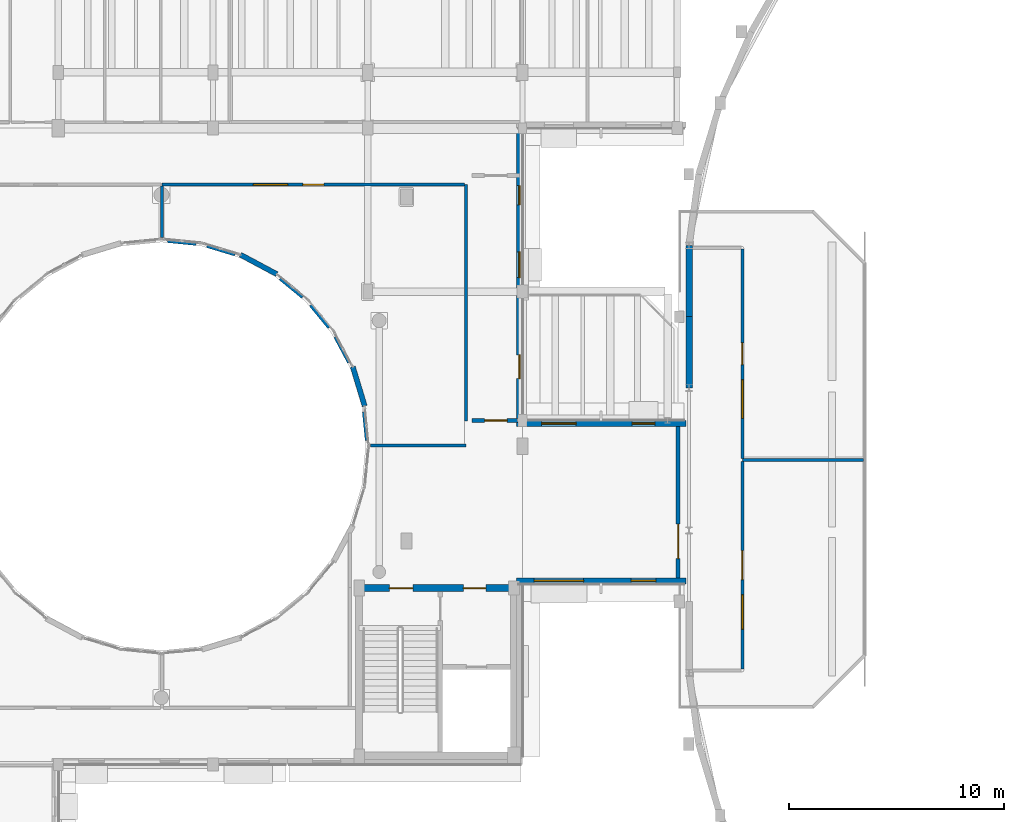
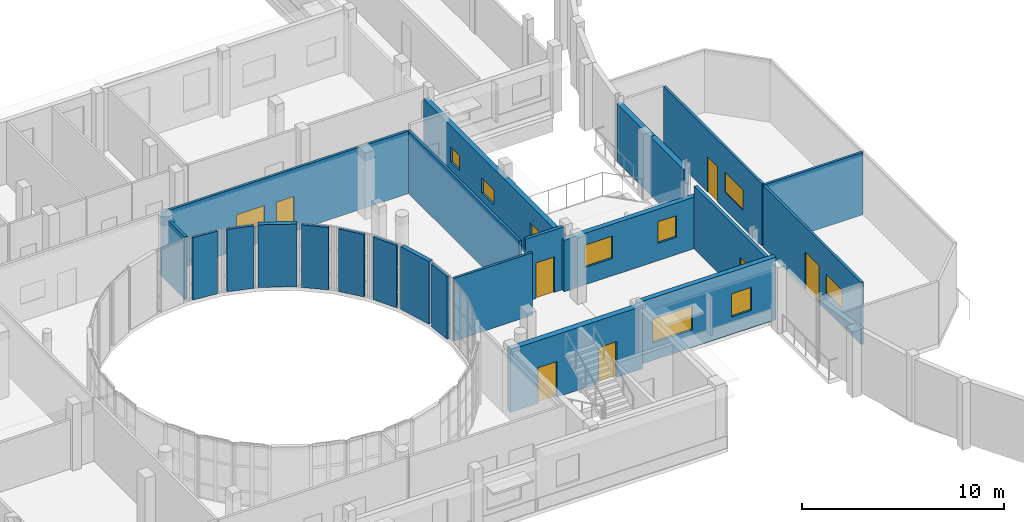
# One storey, part 72 of 92: 23 walls, 9 windows, 8 doors, 17 openings.
"""IFC4 building model written with IfcOpenShell, lengths in metres."""

from ifc_helpers import new_model, si_unit, direction, frame, frame_2d, origin, place, context, subcontext, project, spatial, rectangle, extrude, material, layer, layer_set, type_object, element, fill, save


model = new_model("IFC4")

# Units and contexts
model_context = context("Model", 3, precision=1e-05, world=origin(), true_north=direction((0.0, 1.0)))
body_context = subcontext(model_context, "Body", "Model", "MODEL_VIEW")
ifc_project = project(units=[si_unit("LENGTHUNIT", "METRE"), si_unit("AREAUNIT", "SQUARE_METRE"), si_unit("VOLUMEUNIT", "CUBIC_METRE"), si_unit("PLANEANGLEUNIT", "RADIAN"), si_unit("MASSUNIT", "GRAM", prefix="KILO")], contexts=[model_context])

# Site, building, storey
site_placement = place(None, origin())
site = spatial("IfcSite", under=ifc_project, at=site_placement, CompositionType="ELEMENT")
building_placement = place(site_placement, origin())
building = spatial("IfcBuilding", under=site, at=building_placement, Name="Kelanivale Promenade Academy", CompositionType="ELEMENT")
storey_placement = place(building_placement, frame((0.0, 0.0, 8.199951171875)))
storey = spatial("IfcBuildingStorey", under=building, at=storey_placement, Name="L02", CompositionType="ELEMENT", Elevation=8.199951171875)

# Wall, openings, doors
ifc_material_1 = material(Name="Concrete C40/50", Category="concrete")
ifc_layer_1 = layer(ifc_material_1, 0.330078125)
ifc_layer_set_1 = layer_set([ifc_layer_1], Name="Concrete C40/50")
wall_type_1 = type_object("IfcWallType", Name="CW-S1 Wall 330mm", PredefinedType="SHEAR", material=ifc_layer_set_1)
wall_1_placement = place(storey_placement, frame((107.8349609375, 50.199951171875, 0.0), z_axis=(0.0, 0.0, 1.0), x_axis=(1.0, 0.0, 0.0)))
wall_1 = element("IfcWall", 1, at=wall_1_placement, inside=storey, type_object=wall_type_1, Name="CORE-3 RC shear wall N L02", PredefinedType="SHEAR", context=body_context, shape_type="SweptSolid", body=[
    extrude(rectangle(XDim=7.530029296875, YDim=0.330078125, at=frame_2d((3.76513671875, 0.0))), origin(), (0.0, 0.0, 1.0), 3.780029296875),
])
opening_1_placement = place(wall_1_placement, frame((5.014892578125, 0.0, 0.0)))
opening_1 = element("IfcOpeningElement", 2, at=opening_1_placement, cuts=wall_1, Name="Opening FD-CORE-3-LB-L02", PredefinedType="OPENING", context=body_context, shape_type="SweptSolid", body=[
    extrude(rectangle(XDim=1.050048828125, YDim=2.14990234375, at=frame_2d((0.52490234375, 1.074951171875))), frame((0.0, 0.175048828125, 0.0), z_axis=(0.0, -1.0, 0.0), x_axis=(1.0, 0.0, 0.0)), (0.0, 0.0, 1.0), 0.35009765625),
])
opening_2_placement = place(wall_1_placement, frame((1.56494140625, 0.0, 0.0)))
opening_2 = element("IfcOpeningElement", 3, at=opening_2_placement, cuts=wall_1, Name="Opening FD-CORE-3-ST-L02", PredefinedType="OPENING", context=body_context, shape_type="SweptSolid", body=[
    extrude(rectangle(XDim=1.10009765625, YDim=2.14990234375, at=frame_2d((0.550048828125, 1.074951171875))), frame((0.0, 0.175048828125, 0.0), z_axis=(0.0, -1.0, 0.0), x_axis=(1.0, 0.0, 0.0)), (0.0, 0.0, 1.0), 0.35009765625),
])
ifc_material_2 = material(Name="Fire-rated steel-core teak veneer", Category="steel")
door_type_1 = type_object("IfcDoorType", Name="DT-F01 Door 1100x2150", OperationType="NOTDEFINED", PredefinedType="DOOR", material=ifc_material_2)
door_1_placement = place(opening_2_placement, origin())
door_1 = element("IfcDoor", 4, at=door_1_placement, inside=storey, type_object=door_type_1, Name="CORE-3 protected stair fire door L02", OperationType="SINGLE_SWING_LEFT", OverallHeight=2.14990234375, OverallWidth=1.10009765625, PredefinedType="DOOR", context=body_context, shape_type="SweptSolid", body=[
    extrude(rectangle(XDim=1.10009765625, YDim=2.14990234375, at=frame_2d((0.550048828125, 1.074951171875))), frame((0.0, 0.02490234375, 0.0), z_axis=(0.0, -1.0, 0.0), x_axis=(1.0, 0.0, 0.0)), (0.0, 0.0, 1.0), 0.050048828125),
])
fill(opening_2, door_1)
door_type_2 = type_object("IfcDoorType", Name="DT-F03 Door 1050x2150", OperationType="NOTDEFINED", PredefinedType="DOOR", material=ifc_material_2)
door_2_placement = place(opening_1_placement, origin())
door_2 = element("IfcDoor", 5, at=door_2_placement, inside=storey, type_object=door_type_2, Name="CORE-3 corridor-to-lobby fire door L02", OperationType="SINGLE_SWING_RIGHT", OverallHeight=2.14990234375, OverallWidth=1.050048828125, PredefinedType="DOOR", context=body_context, shape_type="SweptSolid", body=[
    extrude(rectangle(XDim=1.050048828125, YDim=2.14990234375, at=frame_2d((0.52490234375, 1.074951171875))), frame((0.0, 0.02490234375, 0.0), z_axis=(0.0, -1.0, 0.0), x_axis=(1.0, 0.0, 0.0)), (0.0, 0.0, 1.0), 0.050048828125),
])
fill(opening_1, door_2)

# Walls
ifc_material_3 = material(Name="Insulated terracotta-clad masonry wall 300 mm", Category="masonry")
ifc_layer_2 = layer(ifc_material_3, 0.300048828125)
ifc_layer_set_2 = layer_set([ifc_layer_2], Name="Insulated terracotta-clad masonry wall 300 mm")
wall_type_2 = type_object("IfcWallType", Name="EW-01 Wall 300mm", PredefinedType="SOLIDWALL", material=ifc_layer_set_2)
wall_2_placement = place(storey_placement, frame((123.35009765625, 62.8291015625, 0.0), z_axis=(0.0, 0.0, 1.0), x_axis=(0.0, -1.0, 0.0)))
element("IfcWall", 6, at=wall_2_placement, inside=storey, type_object=wall_type_2, Name="Assembly Hall Arc Pavilion inner crescent wall L02", PredefinedType="SOLIDWALL", context=body_context, shape_type="SweptSolid", body=[
    extrude(rectangle(XDim=3.315185546875, YDim=0.300048828125, at=frame_2d((1.65771484375, 0.0))), origin(), (0.0, 0.0, 1.0), 3.505126953125),
])
wall_3_placement = place(storey_placement, frame((123.35009765625, 66.14306640625, 0.0), z_axis=(0.0, 0.0, 1.0), x_axis=(0.0, -1.0, 0.0)))
element("IfcWall", 7, at=wall_3_placement, inside=storey, type_object=wall_type_2, Name="Assembly Hall Arc Pavilion inner crescent wall L02", PredefinedType="SOLIDWALL", context=body_context, shape_type="SweptSolid", body=[
    extrude(rectangle(XDim=3.31396484375, YDim=0.300048828125, at=frame_2d((1.656982421875, 0.0))), origin(), (0.0, 0.0, 1.0), 3.505126953125),
])

# Wall, openings, windows
ifc_material_4 = material(Name="Insulated ivory stucco masonry wall 280 mm", Category="masonry")
ifc_layer_3 = layer(ifc_material_4, 0.280029296875)
ifc_layer_set_3 = layer_set([ifc_layer_3], Name="Insulated ivory stucco masonry wall 280 mm")
wall_type_3 = type_object("IfcWallType", Name="EW-02 Wall 280mm", PredefinedType="SOLIDWALL", material=ifc_layer_set_3)
wall_4_placement = place(storey_placement, frame((115.320068359375, 50.5400390625, 0.0), z_axis=(0.0, 0.0, 1.0), x_axis=(1.0, 0.0, 0.0)))
wall_4 = element("IfcWall", 8, at=wall_4_placement, inside=storey, type_object=wall_type_3, Name="L02 exterior facade wall EW-L02-ORT-0418", PredefinedType="SOLIDWALL", context=body_context, shape_type="SweptSolid", body=[
    extrude(rectangle(XDim=7.8798828125, YDim=0.280029296875, at=frame_2d((3.93994140625, 0.0))), origin(), (0.0, 0.0, 1.0), 3.780029296875),
])
opening_3_placement = place(wall_4_placement, frame((0.820068359375, 0.0, 1.050048828125)))
opening_3 = element("IfcOpeningElement", 9, at=opening_3_placement, cuts=wall_4, Name="Opening WT-28", PredefinedType="OPENING", context=body_context, shape_type="SweptSolid", body=[
    extrude(rectangle(XDim=2.300048828125, YDim=1.449951171875, at=frame_2d((1.14990234375, 0.72509765625))), frame((0.0, 0.14990234375, 0.0), z_axis=(0.0, -1.0, 0.0), x_axis=(1.0, 0.0, 0.0)), (0.0, 0.0, 1.0), 0.300048828125),
])
opening_4_placement = place(wall_4_placement, frame((5.3349609375, 0.0, 1.050048828125)))
opening_4 = element("IfcOpeningElement", 10, at=opening_4_placement, cuts=wall_4, Name="Opening WT-29", PredefinedType="OPENING", context=body_context, shape_type="SweptSolid", body=[
    extrude(rectangle(XDim=1.14990234375, YDim=1.39990234375, at=frame_2d((0.574951171875, 0.699951171875))), frame((0.0, 0.14990234375, 0.0), z_axis=(0.0, -1.0, 0.0), x_axis=(1.0, 0.0, 0.0)), (0.0, 0.0, 1.0), 0.300048828125),
])
ifc_material_5 = material(Name="Bronze anodised aluminium frame with low-E laminated glass", Category="aluminium")
window_type_1 = type_object("IfcWindowType", Name="WT-28 Window 2300x1450", PartitioningType="SINGLE_PANEL", PredefinedType="WINDOW", material=ifc_material_5)
window_1_placement = place(opening_3_placement, origin())
window_1 = element("IfcWindow", 11, at=window_1_placement, inside=storey, type_object=window_type_1, Name="Window WT-28", OverallHeight=1.449951171875, OverallWidth=2.300048828125, PartitioningType="SINGLE_PANEL", PredefinedType="WINDOW", context=body_context, shape_type="SweptSolid", body=[
    extrude(rectangle(XDim=2.300048828125, YDim=1.449951171875, at=frame_2d((1.14990234375, 0.72509765625))), frame((0.0, 0.030029296875, 0.0), z_axis=(0.0, -1.0, 0.0), x_axis=(1.0, 0.0, 0.0)), (0.0, 0.0, 1.0), 0.06005859375),
])
fill(opening_3, window_1)
window_type_2 = type_object("IfcWindowType", Name="WT-29 Window 1150x1400", PartitioningType="SINGLE_PANEL", PredefinedType="WINDOW", material=ifc_material_5)
window_2_placement = place(opening_4_placement, origin())
window_2 = element("IfcWindow", 12, at=window_2_placement, inside=storey, type_object=window_type_2, Name="Window WT-29", OverallHeight=1.39990234375, OverallWidth=1.14990234375, PartitioningType="SINGLE_PANEL", PredefinedType="WINDOW", context=body_context, shape_type="SweptSolid", body=[
    extrude(rectangle(XDim=1.14990234375, YDim=1.39990234375, at=frame_2d((0.574951171875, 0.699951171875))), frame((0.0, 0.030029296875, 0.0), z_axis=(0.0, -1.0, 0.0), x_axis=(1.0, 0.0, 0.0)), (0.0, 0.0, 1.0), 0.06005859375),
])
fill(opening_4, window_2)

wall_5_placement = place(storey_placement, frame((123.199951171875, 57.860107421875, 0.0), z_axis=(0.0, 0.0, 1.0), x_axis=(-1.0, 0.0, 0.0)))
wall_5 = element("IfcWall", 13, at=wall_5_placement, inside=storey, type_object=wall_type_3, Name="L02 exterior facade wall EW-L02-ORT-0419", PredefinedType="SOLIDWALL", context=body_context, shape_type="SweptSolid", body=[
    extrude(rectangle(XDim=7.8798828125, YDim=0.280029296875, at=frame_2d((3.93994140625, 0.0))), origin(), (0.0, 0.0, 1.0), 3.110107421875),
])
opening_5_placement = place(wall_5_placement, frame((1.445068359375, 0.0, 1.050048828125)))
opening_5 = element("IfcOpeningElement", 14, at=opening_5_placement, cuts=wall_5, Name="Opening WT-30", PredefinedType="OPENING", context=body_context, shape_type="SweptSolid", body=[
    extrude(rectangle(XDim=1.050048828125, YDim=1.300048828125, at=frame_2d((0.52490234375, 0.64990234375))), frame((0.0, 0.14990234375, 0.0), z_axis=(0.0, -1.0, 0.0), x_axis=(1.0, 0.0, 0.0)), (0.0, 0.0, 1.0), 0.300048828125),
])
opening_6_placement = place(wall_5_placement, frame((5.110107421875, 0.0, 1.050048828125)))
opening_6 = element("IfcOpeningElement", 15, at=opening_6_placement, cuts=wall_5, Name="Opening WT-07", PredefinedType="OPENING", context=body_context, shape_type="SweptSolid", body=[
    extrude(rectangle(XDim=1.60009765625, YDim=1.35009765625, at=frame_2d((0.800048828125, 0.675048828125))), frame((0.0, 0.14990234375, 0.0), z_axis=(0.0, -1.0, 0.0), x_axis=(1.0, 0.0, 0.0)), (0.0, 0.0, 1.0), 0.300048828125),
])
window_type_3 = type_object("IfcWindowType", Name="WT-07 Window 1600x1350", PartitioningType="SINGLE_PANEL", PredefinedType="WINDOW", material=ifc_material_5)
window_3_placement = place(opening_6_placement, origin())
window_3 = element("IfcWindow", 16, at=window_3_placement, inside=storey, type_object=window_type_3, Name="Window WT-07", OverallHeight=1.35009765625, OverallWidth=1.60009765625, PartitioningType="SINGLE_PANEL", PredefinedType="WINDOW", context=body_context, shape_type="SweptSolid", body=[
    extrude(rectangle(XDim=1.60009765625, YDim=1.35009765625, at=frame_2d((0.800048828125, 0.675048828125))), frame((0.0, 0.030029296875, 0.0), z_axis=(0.0, -1.0, 0.0), x_axis=(1.0, 0.0, 0.0)), (0.0, 0.0, 1.0), 0.06005859375),
])
fill(opening_6, window_3)
window_type_4 = type_object("IfcWindowType", Name="WT-30 Window 1050x1300", PartitioningType="SINGLE_PANEL", PredefinedType="WINDOW", material=ifc_material_5)
window_4_placement = place(opening_5_placement, origin())
window_4 = element("IfcWindow", 17, at=window_4_placement, inside=storey, type_object=window_type_4, Name="Window WT-30", OverallHeight=1.300048828125, OverallWidth=1.050048828125, PartitioningType="SINGLE_PANEL", PredefinedType="WINDOW", context=body_context, shape_type="SweptSolid", body=[
    extrude(rectangle(XDim=1.050048828125, YDim=1.300048828125, at=frame_2d((0.52490234375, 0.64990234375))), frame((0.0, 0.030029296875, 0.0), z_axis=(0.0, -1.0, 0.0), x_axis=(1.0, 0.0, 0.0)), (0.0, 0.0, 1.0), 0.06005859375),
])
fill(opening_5, window_4)

# Wall, openings, door, windows
wall_6_placement = place(storey_placement, frame((115.4599609375, 58.0, 0.0), z_axis=(0.0, 0.0, 1.0), x_axis=(0.0, 1.0, 0.0)))
wall_6 = element("IfcWall", 18, at=wall_6_placement, inside=storey, type_object=wall_type_3, Name="L02 exterior facade wall EW-L02-ORT-0420", PredefinedType="SOLIDWALL", context=body_context, shape_type="SweptSolid", body=[
    extrude(rectangle(XDim=13.60009765625, YDim=0.280029296875, at=frame_2d((6.800048828125, 0.0))), origin(), (0.0, 0.0, 1.0), 3.22509765625),
])
opening_7_placement = place(wall_6_placement, frame((1.949951171875, 0.0, 0.0)))
opening_7 = element("IfcOpeningElement", 19, at=opening_7_placement, cuts=wall_6, Name="Opening XD-203", PredefinedType="OPENING", context=body_context, shape_type="SweptSolid", body=[
    extrude(rectangle(XDim=1.10009765625, YDim=2.14990234375, at=frame_2d((0.550048828125, 1.074951171875))), frame((0.0, 0.14990234375, 0.0), z_axis=(0.0, -1.0, 0.0), x_axis=(1.0, 0.0, 0.0)), (0.0, 0.0, 1.0), 0.300048828125),
])
opening_8_placement = place(wall_6_placement, frame((6.64990234375, 0.0, 1.050048828125)))
opening_8 = element("IfcOpeningElement", 20, at=opening_8_placement, cuts=wall_6, Name="Opening WT-09", PredefinedType="OPENING", context=body_context, shape_type="SweptSolid", body=[
    extrude(rectangle(XDim=1.199951171875, YDim=0.89990234375, at=frame_2d((0.60009765625, 0.449951171875))), frame((0.0, 0.14990234375, 0.0), z_axis=(0.0, -1.0, 0.0), x_axis=(1.0, 0.0, 0.0)), (0.0, 0.0, 1.0), 0.300048828125),
])
opening_9_placement = place(wall_6_placement, frame((10.032958984375, 0.0, 1.050048828125)))
opening_9 = element("IfcOpeningElement", 21, at=opening_9_placement, cuts=wall_6, Name="Opening WT-10", PredefinedType="OPENING", context=body_context, shape_type="SweptSolid", body=[
    extrude(rectangle(XDim=0.89990234375, YDim=0.89990234375, at=frame_2d((0.449951171875, 0.449951171875))), frame((0.0, 0.14990234375, 0.0), z_axis=(0.0, -1.0, 0.0), x_axis=(1.0, 0.0, 0.0)), (0.0, 0.0, 1.0), 0.300048828125),
])
ifc_material_6 = material(Name="Bronze anodised aluminium and laminated glass", Category="aluminium")
door_type_3 = type_object("IfcDoorType", Name="DT-X07 Door 1100x2150", OperationType="NOTDEFINED", PredefinedType="DOOR", material=ifc_material_6)
door_3_placement = place(opening_7_placement, frame((1.10009765625, 0.0, 0.0), z_axis=(0.0, 0.0, 1.0), x_axis=(-1.0, 0.0, 0.0)))
door_3 = element("IfcDoor", 22, at=door_3_placement, inside=storey, type_object=door_type_3, Name="L02 East Shoulder Play Deck door XD-203", OperationType="SINGLE_SWING_RIGHT", OverallHeight=2.14990234375, OverallWidth=1.10009765625, PredefinedType="DOOR", context=body_context, shape_type="SweptSolid", body=[
    extrude(rectangle(XDim=1.10009765625, YDim=2.14990234375, at=frame_2d((0.550048828125, 1.074951171875))), frame((0.0, 0.02490234375, 0.0), z_axis=(0.0, -1.0, 0.0), x_axis=(1.0, 0.0, 0.0)), (0.0, 0.0, 1.0), 0.050048828125),
])
fill(opening_7, door_3)
window_type_5 = type_object("IfcWindowType", Name="WT-09 Window 1200x900", PartitioningType="SINGLE_PANEL", PredefinedType="WINDOW", material=ifc_material_5)
window_5_placement = place(opening_8_placement, origin())
window_5 = element("IfcWindow", 23, at=window_5_placement, inside=storey, type_object=window_type_5, Name="Window WT-09", OverallHeight=0.89990234375, OverallWidth=1.199951171875, PartitioningType="SINGLE_PANEL", PredefinedType="WINDOW", context=body_context, shape_type="SweptSolid", body=[
    extrude(rectangle(XDim=1.199951171875, YDim=0.89990234375, at=frame_2d((0.60009765625, 0.449951171875))), frame((0.0, 0.030029296875, 0.0), z_axis=(0.0, -1.0, 0.0), x_axis=(1.0, 0.0, 0.0)), (0.0, 0.0, 1.0), 0.06005859375),
])
fill(opening_8, window_5)
window_type_6 = type_object("IfcWindowType", Name="WT-10 Window 900x900", PartitioningType="SINGLE_PANEL", PredefinedType="WINDOW", material=ifc_material_5)
window_6_placement = place(opening_9_placement, origin())
window_6 = element("IfcWindow", 24, at=window_6_placement, inside=storey, type_object=window_type_6, Name="Window WT-10", OverallHeight=0.89990234375, OverallWidth=0.89990234375, PartitioningType="SINGLE_PANEL", PredefinedType="WINDOW", context=body_context, shape_type="SweptSolid", body=[
    extrude(rectangle(XDim=0.89990234375, YDim=0.89990234375, at=frame_2d((0.449951171875, 0.449951171875))), frame((0.0, 0.030029296875, 0.0), z_axis=(0.0, -1.0, 0.0), x_axis=(1.0, 0.0, 0.0)), (0.0, 0.0, 1.0), 0.06005859375),
])
fill(opening_9, window_6)

# Walls
ifc_material_7 = material(Name="Insulated courtyard stucco masonry wall 240 mm", Category="masonry")
ifc_layer_4 = layer(ifc_material_7, 0.239990234375)
ifc_layer_set_4 = layer_set([ifc_layer_4], Name="Insulated courtyard stucco masonry wall 240 mm")
wall_type_4 = type_object("IfcWallType", Name="EW-04 Wall 240mm", PredefinedType="SOLIDWALL", material=ifc_layer_set_4)
wall_7_placement = place(storey_placement, frame((104.166015625, 64.81005859375, 0.0), z_axis=(0.0, 0.0, 1.0), x_axis=(-0.881893245259, 0.471449153109, 0.0)))
element("IfcWall", 25, at=wall_7_placement, inside=storey, type_object=wall_type_4, Name="L02 round courtyard stucco wall", PredefinedType="SOLIDWALL", context=body_context, shape_type="SweptSolid", body=[
    extrude(rectangle(XDim=1.912841796875, YDim=0.239990234375, at=frame_2d((0.95654296875, 0.0))), origin(), (0.0, 0.0, 1.0), 3.780029296875),
])
wall_8_placement = place(storey_placement, frame((108.258056640625, 58.669921875, 0.0), z_axis=(0.0, 0.0, 1.0), x_axis=(-0.289713248393, 0.957113490504, 0.0)))
element("IfcWall", 26, at=wall_8_placement, inside=storey, type_object=wall_type_4, Name="L02 round courtyard stucco wall", PredefinedType="SOLIDWALL", context=body_context, shape_type="SweptSolid", body=[
    extrude(rectangle(XDim=1.912109375, YDim=0.239990234375, at=frame_2d((0.9560546875, 0.0))), origin(), (0.0, 0.0, 1.0), 3.780029296875),
])

# Wall, opening, door
ifc_material_8 = material(Name="Autoclaved masonry blockwork 180 mm", Category="masonry")
ifc_layer_5 = layer(ifc_material_8, 0.179931640625)
ifc_layer_set_5 = layer_set([ifc_layer_5], Name="Autoclaved masonry blockwork 180 mm")
wall_type_5 = type_object("IfcWallType", Name="IW-02 Wall 180mm", PredefinedType="PARTITIONING", material=ifc_layer_set_5)
wall_9_placement = place(storey_placement, frame((122.840087890625, 50.677978515625, 0.0), z_axis=(0.0, 0.0, 1.0), x_axis=(0.0, 1.0, 0.0)))
wall_9 = element("IfcWall", 27, at=wall_9_placement, inside=storey, type_object=wall_type_5, Name="L02 movement-joint corridor fire wall E", PredefinedType="PARTITIONING", context=body_context, shape_type="SweptSolid", body=[
    extrude(rectangle(XDim=7.0439453125, YDim=0.179931640625, at=frame_2d((3.52197265625, 0.0))), origin(), (0.0, 0.0, 1.0), 3.780029296875),
])
opening_10_placement = place(wall_9_placement, frame((0.89990234375, 0.0, 0.0)))
opening_10 = element("IfcOpeningElement", 28, at=opening_10_placement, cuts=wall_9, Name="Opening FD-L02-MJ-E", PredefinedType="OPENING", context=body_context, shape_type="SweptSolid", body=[
    extrude(rectangle(XDim=1.60009765625, YDim=2.25, at=frame_2d((0.800048828125, 1.125))), frame((0.0, 0.10009765625, 0.0), z_axis=(0.0, -1.0, 0.0), x_axis=(1.0, 0.0, 0.0)), (0.0, 0.0, 1.0), 0.199951171875),
])
door_type_4 = type_object("IfcDoorType", Name="DT-F09 Door 1600x2250", OperationType="NOTDEFINED", PredefinedType="DOOR", material=ifc_material_2)
door_4_placement = place(opening_10_placement, origin())
door_4 = element("IfcDoor", 29, at=door_4_placement, inside=storey, type_object=door_type_4, Name="L02 movement-joint corridor double fire door E", OperationType="DOUBLE_DOOR_SINGLE_SWING", OverallHeight=2.25, OverallWidth=1.60009765625, PredefinedType="DOOR", context=body_context, shape_type="SweptSolid", body=[
    extrude(rectangle(XDim=1.60009765625, YDim=2.25, at=frame_2d((0.800048828125, 1.125))), frame((0.0, 0.02490234375, 0.0), z_axis=(0.0, -1.0, 0.0), x_axis=(1.0, 0.0, 0.0)), (0.0, 0.0, 1.0), 0.050048828125),
])
fill(opening_10, door_4)

wall_10_placement = place(storey_placement, frame((113.25, 58.0, 0.0), z_axis=(0.0, 0.0, 1.0), x_axis=(1.0, 0.0, 0.0)))
wall_10 = element("IfcWall", 30, at=wall_10_placement, inside=storey, type_object=wall_type_5, Name="L02 cross-corridor fire wall", PredefinedType="PARTITIONING", context=body_context, shape_type="SweptSolid", body=[
    extrude(rectangle(XDim=2.214111328125, YDim=0.179931640625, at=frame_2d((1.10693359375, 0.0))), origin(), (0.0, 0.0, 1.0), 3.780029296875),
])
opening_11_placement = place(wall_10_placement, frame((0.58203125, 0.0, 0.0)))
opening_11 = element("IfcOpeningElement", 31, at=opening_11_placement, cuts=wall_10, Name="Opening FD-L02-CC-104", PredefinedType="OPENING", context=body_context, shape_type="SweptSolid", body=[
    extrude(rectangle(XDim=1.050048828125, YDim=2.14990234375, at=frame_2d((0.52490234375, 1.074951171875))), frame((0.0, 0.10009765625, 0.0), z_axis=(0.0, -1.0, 0.0), x_axis=(1.0, 0.0, 0.0)), (0.0, 0.0, 1.0), 0.199951171875),
])
door_5_placement = place(opening_11_placement, origin())
door_5 = element("IfcDoor", 32, at=door_5_placement, inside=storey, type_object=door_type_2, Name="L02 cross-corridor fire door FD-L02-CC-104", OperationType="SINGLE_SWING_RIGHT", OverallHeight=2.14990234375, OverallWidth=1.050048828125, PredefinedType="DOOR", context=body_context, shape_type="SweptSolid", body=[
    extrude(rectangle(XDim=1.050048828125, YDim=2.14990234375, at=frame_2d((0.52490234375, 1.074951171875))), frame((0.0, 0.02490234375, 0.0), z_axis=(0.0, -1.0, 0.0), x_axis=(1.0, 0.0, 0.0)), (0.0, 0.0, 1.0), 0.050048828125),
])
fill(opening_11, door_5)

# Wall
ifc_material_9 = material(Name="Acoustic double-stud gypsum board partition 140 mm", Category="masonry")
ifc_layer_6 = layer(ifc_material_9, 0.139892578125)
ifc_layer_set_6 = layer_set([ifc_layer_6], Name="Acoustic double-stud gypsum board partition 140 mm")
wall_type_6 = type_object("IfcWallType", Name="IW-04 Wall 140mm", PredefinedType="PARTITIONING", material=ifc_layer_set_6)
wall_11_placement = place(storey_placement, frame((131.4619140625, 56.169921875, 0.0), z_axis=(0.0, 0.0, 1.0), x_axis=(-1.0, 0.0, 0.0)))
element("IfcWall", 33, at=wall_11_placement, inside=storey, type_object=wall_type_6, Name="L02 partition Choral Rehearsal Studio", PredefinedType="PARTITIONING", context=body_context, shape_type="SweptSolid", body=[
    extrude(rectangle(XDim=5.6318359375, YDim=0.139892578125, at=frame_2d((2.81591796875, 0.0))), origin(), (0.0, 0.0, 1.0), 3.755126953125),
])

# Wall, openings, door, window
wall_12_placement = place(storey_placement, frame((125.830078125, 56.10205078125, 0.0), z_axis=(0.0, 0.0, 1.0), x_axis=(0.0, -1.0, 0.0)))
wall_12 = element("IfcWall", 34, at=wall_12_placement, inside=storey, type_object=wall_type_6, Name="L02 partition Choral Rehearsal Studio", PredefinedType="PARTITIONING", context=body_context, shape_type="SweptSolid", body=[
    extrude(rectangle(XDim=9.672119140625, YDim=0.139892578125, at=frame_2d((4.8359375, 0.0))), origin(), (0.0, 0.0, 1.0), 3.755126953125),
])
opening_12_placement = place(wall_12_placement, frame((4.160888671875, 0.0, 0.0)))
opening_12 = element("IfcOpeningElement", 35, at=opening_12_placement, cuts=wall_12, Name="Opening ID-L02-113", PredefinedType="OPENING", context=body_context, shape_type="SweptSolid", body=[
    extrude(rectangle(XDim=1.35009765625, YDim=2.25, at=frame_2d((0.675048828125, 1.125))), frame((0.0, 0.080078125, 0.0), z_axis=(0.0, -1.0, 0.0), x_axis=(1.0, 0.0, 0.0)), (0.0, 0.0, 1.0), 0.159912109375),
])
opening_13_placement = place(wall_12_placement, frame((6.2109375, 0.0, 1.050048828125)))
opening_13 = element("IfcOpeningElement", 36, at=opening_13_placement, cuts=wall_12, Name="Opening WT-I01", PredefinedType="OPENING", context=body_context, shape_type="SweptSolid", body=[
    extrude(rectangle(XDim=1.60009765625, YDim=1.10009765625, at=frame_2d((0.800048828125, 0.550048828125))), frame((0.0, 0.080078125, 0.0), z_axis=(0.0, -1.0, 0.0), x_axis=(1.0, 0.0, 0.0)), (0.0, 0.0, 1.0), 0.159912109375),
])
ifc_material_10 = material(Name="Solid-core tropical teak timber", Category="wood")
door_type_5 = type_object("IfcDoorType", Name="DT-I13 Door 1350x2250", OperationType="NOTDEFINED", PredefinedType="DOOR", material=ifc_material_10)
door_6_placement = place(opening_12_placement, origin())
door_6 = element("IfcDoor", 37, at=door_6_placement, inside=storey, type_object=door_type_5, Name="Choral Rehearsal Studio door ID-L02-113", OperationType="DOUBLE_DOOR_SINGLE_SWING", OverallHeight=2.25, OverallWidth=1.35009765625, PredefinedType="DOOR", context=body_context, shape_type="SweptSolid", body=[
    extrude(rectangle(XDim=1.35009765625, YDim=2.25, at=frame_2d((0.675048828125, 1.125))), frame((0.0, 0.02490234375, 0.0), z_axis=(0.0, -1.0, 0.0), x_axis=(1.0, 0.0, 0.0)), (0.0, 0.0, 1.0), 0.050048828125),
])
fill(opening_12, door_6)
window_type_7 = type_object("IfcWindowType", Name="WT-I01 Window 1600x1100", PartitioningType="SINGLE_PANEL", PredefinedType="WINDOW", material=ifc_material_5)
window_7_placement = place(opening_13_placement, origin())
window_7 = element("IfcWindow", 38, at=window_7_placement, inside=storey, type_object=window_type_7, Name="Interior observation window WT-I01", OverallHeight=1.10009765625, OverallWidth=1.60009765625, PartitioningType="SINGLE_PANEL", PredefinedType="WINDOW", context=body_context, shape_type="SweptSolid", body=[
    extrude(rectangle(XDim=1.60009765625, YDim=1.10009765625, at=frame_2d((0.800048828125, 0.550048828125))), frame((0.0, 0.030029296875, 0.0), z_axis=(0.0, -1.0, 0.0), x_axis=(1.0, 0.0, 0.0)), (0.0, 0.0, 1.0), 0.06005859375),
])
fill(opening_13, window_7)

wall_13_placement = place(storey_placement, frame((125.830078125, 65.969970703125, 0.0), z_axis=(0.0, 0.0, 1.0), x_axis=(0.0, -1.0, 0.0)))
wall_13 = element("IfcWall", 39, at=wall_13_placement, inside=storey, type_object=wall_type_6, Name="L02 partition Audiovisual Projection Studio", PredefinedType="PARTITIONING", context=body_context, shape_type="SweptSolid", body=[
    extrude(rectangle(XDim=9.73193359375, YDim=0.139892578125, at=frame_2d((4.865966796875, 0.0))), origin(), (0.0, 0.0, 1.0), 3.755126953125),
])
opening_14_placement = place(wall_13_placement, frame((4.35595703125, 0.0, 0.0)))
opening_14 = element("IfcOpeningElement", 40, at=opening_14_placement, cuts=wall_13, Name="Opening ID-L02-114", PredefinedType="OPENING", context=body_context, shape_type="SweptSolid", body=[
    extrude(rectangle(XDim=1.02001953125, YDim=2.139892578125, at=frame_2d((0.510009765625, 1.06982421875))), frame((0.0, 0.080078125, 0.0), z_axis=(0.0, -1.0, 0.0), x_axis=(1.0, 0.0, 0.0)), (0.0, 0.0, 1.0), 0.159912109375),
])
opening_15_placement = place(wall_13_placement, frame((6.075927734375, 0.0, 1.050048828125)))
opening_15 = element("IfcOpeningElement", 41, at=opening_15_placement, cuts=wall_13, Name="Opening WT-I02", PredefinedType="OPENING", context=body_context, shape_type="SweptSolid", body=[
    extrude(rectangle(XDim=1.800048828125, YDim=1.199951171875, at=frame_2d((0.89990234375, 0.60009765625))), frame((0.0, 0.080078125, 0.0), z_axis=(0.0, -1.0, 0.0), x_axis=(1.0, 0.0, 0.0)), (0.0, 0.0, 1.0), 0.159912109375),
])
door_type_6 = type_object("IfcDoorType", Name="DT-I15 Door 1020x2140", OperationType="NOTDEFINED", PredefinedType="DOOR", material=ifc_material_10)
door_7_placement = place(opening_14_placement, origin())
door_7 = element("IfcDoor", 42, at=door_7_placement, inside=storey, type_object=door_type_6, Name="Audiovisual Projection Studio door ID-L02-114", OperationType="SINGLE_SWING_RIGHT", OverallHeight=2.139892578125, OverallWidth=1.02001953125, PredefinedType="DOOR", context=body_context, shape_type="SweptSolid", body=[
    extrude(rectangle(XDim=1.02001953125, YDim=2.139892578125, at=frame_2d((0.510009765625, 1.06982421875))), frame((0.0, 0.02490234375, 0.0), z_axis=(0.0, -1.0, 0.0), x_axis=(1.0, 0.0, 0.0)), (0.0, 0.0, 1.0), 0.050048828125),
])
fill(opening_14, door_7)
window_type_8 = type_object("IfcWindowType", Name="WT-I02 Window 1800x1200", PartitioningType="SINGLE_PANEL", PredefinedType="WINDOW", material=ifc_material_5)
window_8_placement = place(opening_15_placement, origin())
window_8 = element("IfcWindow", 43, at=window_8_placement, inside=storey, type_object=window_type_8, Name="Interior observation window WT-I02", OverallHeight=1.199951171875, OverallWidth=1.800048828125, PartitioningType="SINGLE_PANEL", PredefinedType="WINDOW", context=body_context, shape_type="SweptSolid", body=[
    extrude(rectangle(XDim=1.800048828125, YDim=1.199951171875, at=frame_2d((0.89990234375, 0.60009765625))), frame((0.0, 0.030029296875, 0.0), z_axis=(0.0, -1.0, 0.0), x_axis=(1.0, 0.0, 0.0)), (0.0, 0.0, 1.0), 0.06005859375),
])
fill(opening_15, window_8)

# Walls
wall_14_placement = place(storey_placement, frame((100.9150390625, 66.111083984375, 0.0), z_axis=(0.0, 0.0, 1.0), x_axis=(0.956945716193, -0.290266939661, 0.0)))
element("IfcWall", 44, at=wall_14_placement, inside=storey, type_object=wall_type_6, Name="L02 partition Mathematics Classroom East B", PredefinedType="PARTITIONING", context=body_context, shape_type="SweptSolid", body=[
    extrude(rectangle(XDim=1.357421875, YDim=0.139892578125, at=frame_2d((0.6787109375, 0.0))), origin(), (0.0, 0.0, 1.0), 3.775146484375),
])
for number, where, z_axis, x_axis, name in (
    (45, (104.318115234375, 64.593017578125, 0.0), (0.0, 0.0, 1.0), (0.772890106497, -0.634539898886, 0.0), "L02 partition Mathematics Classroom East B"),
    (46, (105.73193359375, 63.366943359375, 0.0), (0.0, 0.0, 1.0), (0.634539898886, -0.772890106497, 0.0), "L02 partition Mathematics Classroom East B"),
    (47, (106.8798828125, 61.887939453125, 0.0), (0.0, 0.0, 1.0), (0.471017734614, -0.882123740571, 0.0), "L02 partition Mathematics Classroom East B"),
):
    element("IfcWall", number, at=place(storey_placement, frame(where, z_axis=z_axis, x_axis=x_axis)), inside=storey, type_object=wall_type_6, Name=name, PredefinedType="PARTITIONING", context=body_context, shape_type="SweptSolid", body=[
        extrude(rectangle(XDim=1.35693359375, YDim=0.139892578125, at=frame_2d((0.678466796875, 0.0))), origin(), (0.0, 0.0, 1.0), 3.775146484375),
    ])
wall_15_placement = place(storey_placement, frame((108.2109375, 58.407958984375, 0.0), z_axis=(0.0, 0.0, 1.0), x_axis=(0.098744685517, -0.995112801185, 0.0)))
element("IfcWall", 48, at=wall_15_placement, inside=storey, type_object=wall_type_6, Name="L02 partition Mathematics Classroom East B", PredefinedType="PARTITIONING", context=body_context, shape_type="SweptSolid", body=[
    extrude(rectangle(XDim=1.337646484375, YDim=0.139892578125, at=frame_2d((0.6689453125, 0.0))), origin(), (0.0, 0.0, 1.0), 3.775146484375),
])
wall_16_placement = place(storey_placement, frame((108.51611328125, 56.830078125, 0.0), z_axis=(0.0, 0.0, 1.0), x_axis=(1.0, 0.0, 0.0)))
element("IfcWall", 49, at=wall_16_placement, inside=storey, type_object=wall_type_6, Name="L02 partition Mathematics Classroom East B", PredefinedType="PARTITIONING", context=body_context, shape_type="SweptSolid", body=[
    extrude(rectangle(XDim=4.453857421875, YDim=0.139892578125, at=frame_2d((2.22705078125, 0.0))), origin(), (0.0, 0.0, 1.0), 3.775146484375),
])
wall_17_placement = place(storey_placement, frame((112.969970703125, 57.969970703125, 0.0), z_axis=(0.0, 0.0, 1.0), x_axis=(0.0, 1.0, 0.0)))
element("IfcWall", 50, at=wall_17_placement, inside=storey, type_object=wall_type_6, Name="L02 partition Mathematics Classroom East B", PredefinedType="PARTITIONING", context=body_context, shape_type="SweptSolid", body=[
    extrude(rectangle(XDim=11.0, YDim=0.139892578125, at=frame_2d((5.5, 0.0))), origin(), (0.0, 0.0, 1.0), 3.775146484375),
])

# Wall, openings, door, window
wall_18_placement = place(storey_placement, frame((112.902099609375, 68.969970703125, 0.0), z_axis=(0.0, 0.0, 1.0), x_axis=(-1.0, 0.0, 0.0)))
wall_18 = element("IfcWall", 51, at=wall_18_placement, inside=storey, type_object=wall_type_6, Name="L02 partition Mathematics Classroom East B", PredefinedType="PARTITIONING", context=body_context, shape_type="SweptSolid", body=[
    extrude(rectangle(XDim=14.072021484375, YDim=0.139892578125, at=frame_2d((7.0361328125, 0.0))), origin(), (0.0, 0.0, 1.0), 3.775146484375),
])
opening_16_placement = place(wall_18_placement, frame((6.5458984375, 0.0, 0.0)))
opening_16 = element("IfcOpeningElement", 52, at=opening_16_placement, cuts=wall_18, Name="Opening ID-L02-125", PredefinedType="OPENING", context=body_context, shape_type="SweptSolid", body=[
    extrude(rectangle(XDim=0.97998046875, YDim=2.1201171875, at=frame_2d((0.489990234375, 1.06005859375))), frame((0.0, 0.080078125, 0.0), z_axis=(0.0, -1.0, 0.0), x_axis=(1.0, 0.0, 0.0)), (0.0, 0.0, 1.0), 0.159912109375),
])
opening_17_placement = place(wall_18_placement, frame((8.22607421875, 0.0, 1.050048828125)))
opening_17 = element("IfcOpeningElement", 53, at=opening_17_placement, cuts=wall_18, Name="Opening WT-I01", PredefinedType="OPENING", context=body_context, shape_type="SweptSolid", body=[
    extrude(rectangle(XDim=1.60009765625, YDim=1.10009765625, at=frame_2d((0.800048828125, 0.550048828125))), frame((0.0, 0.080078125, 0.0), z_axis=(0.0, -1.0, 0.0), x_axis=(1.0, 0.0, 0.0)), (0.0, 0.0, 1.0), 0.159912109375),
])
door_type_7 = type_object("IfcDoorType", Name="DT-I14 Door 980x2120", OperationType="NOTDEFINED", PredefinedType="DOOR", material=ifc_material_10)
door_8_placement = place(opening_16_placement, origin())
door_8 = element("IfcDoor", 54, at=door_8_placement, inside=storey, type_object=door_type_7, Name="Mathematics Classroom East B door ID-L02-125", OperationType="SINGLE_SWING_RIGHT", OverallHeight=2.1201171875, OverallWidth=0.97998046875, PredefinedType="DOOR", context=body_context, shape_type="SweptSolid", body=[
    extrude(rectangle(XDim=0.97998046875, YDim=2.1201171875, at=frame_2d((0.489990234375, 1.06005859375))), frame((0.0, 0.02490234375, 0.0), z_axis=(0.0, -1.0, 0.0), x_axis=(1.0, 0.0, 0.0)), (0.0, 0.0, 1.0), 0.050048828125),
])
fill(opening_16, door_8)
window_9_placement = place(opening_17_placement, origin())
window_9 = element("IfcWindow", 55, at=window_9_placement, inside=storey, type_object=window_type_7, Name="Interior observation window WT-I01", OverallHeight=1.10009765625, OverallWidth=1.60009765625, PartitioningType="SINGLE_PANEL", PredefinedType="WINDOW", context=body_context, shape_type="SweptSolid", body=[
    extrude(rectangle(XDim=1.60009765625, YDim=1.10009765625, at=frame_2d((0.800048828125, 0.550048828125))), frame((0.0, 0.030029296875, 0.0), z_axis=(0.0, -1.0, 0.0), x_axis=(1.0, 0.0, 0.0)), (0.0, 0.0, 1.0), 0.06005859375),
])
fill(opening_17, window_9)

# Walls
wall_19_placement = place(storey_placement, frame((98.830078125, 68.902099609375, 0.0), z_axis=(0.0, 0.0, 1.0), x_axis=(0.0, -1.0, 0.0)))
element("IfcWall", 56, at=wall_19_placement, inside=storey, type_object=wall_type_6, Name="L02 partition Mathematics Classroom East B", PredefinedType="PARTITIONING", context=body_context, shape_type="SweptSolid", body=[
    extrude(rectangle(XDim=2.385986328125, YDim=0.139892578125, at=frame_2d((1.19287109375, 0.0))), origin(), (0.0, 0.0, 1.0), 3.775146484375),
])
wall_20_placement = place(storey_placement, frame((99.076904296875, 66.343017578125, 0.0), z_axis=(0.0, 0.0, 1.0), x_axis=(0.995112801185, -0.098744685517, 0.0)))
element("IfcWall", 57, at=wall_20_placement, inside=storey, type_object=wall_type_6, Name="L02 partition Mathematics Classroom East B", PredefinedType="PARTITIONING", context=body_context, shape_type="SweptSolid", body=[
    extrude(rectangle(XDim=1.337646484375, YDim=0.139892578125, at=frame_2d((0.6689453125, 0.0))), origin(), (0.0, 0.0, 1.0), 3.775146484375),
])

save(model, "model.ifc")
